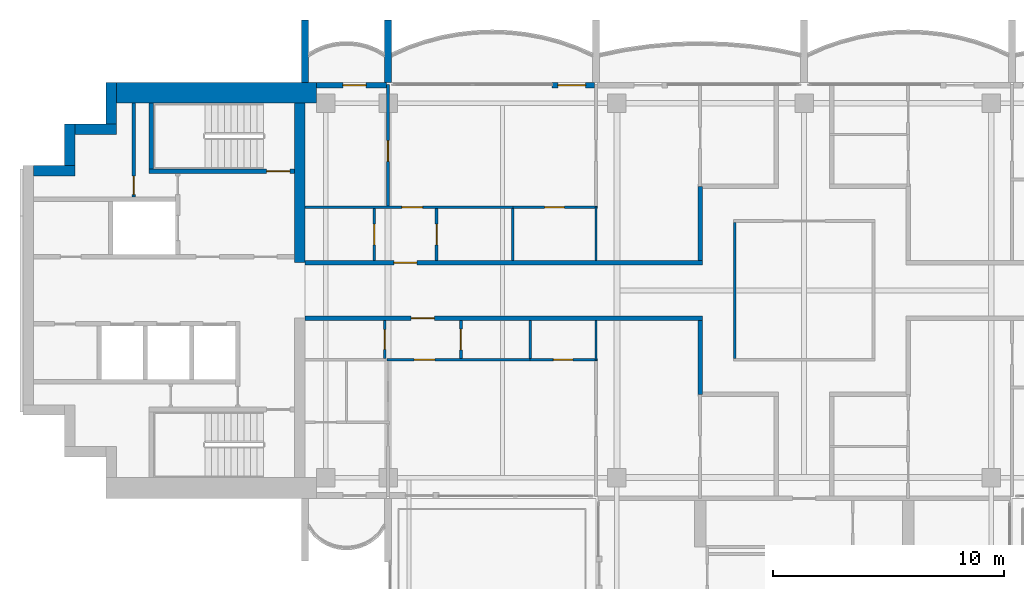
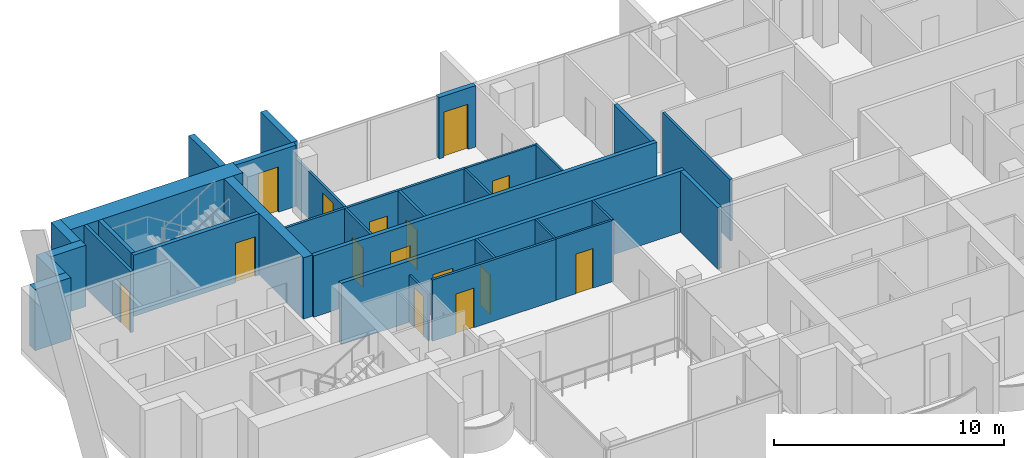
# One storey, part 8 of 16: 31 walls, 15 doors, 15 openings.
"""IFC4 building model written with IfcOpenShell, lengths in metres."""

import ifcopenshell
import ifcopenshell.guid

model = None  # the IFC model being written
_history = None  # IfcOwnerHistory: only IFC2X3 demands one
_inside = {}  # id of a spatial element -> (the spatial element, [elements in it])
_under = {}  # id of a project, library or spatial element -> (it, [spatial elements below it])
_declared = {}  # id of a project -> (the project, [libraries it declares])
_typed = {}  # id of a type object -> (the type object, [elements of that type])
_made_of = {}  # id of a material, layer set ... -> (it, [elements and type objects made of it])


def new_model(schema):
    """Start an empty IFC model of exactly this schema.

    Asked for "IFC4X3", IfcOpenShell would pick the latest addendum, in which some entities
    have other attributes; the version numbers below select the first issue.
    IFC2X3 requires an IfcOwnerHistory on every rooted entity: one is made here for all.
    """
    global model, _history
    if schema == "IFC4X3":
        model = ifcopenshell.file(schema_version=(4, 3, 0, 0))
    else:
        model = ifcopenshell.file(schema=schema)
    _inside.clear()
    _under.clear()
    _declared.clear()
    _typed.clear()
    _made_of.clear()
    _history = None
    if model.schema == "IFC2X3":
        org = make("IfcOrganization", Name="unknown")
        user = make(
            "IfcPersonAndOrganization",
            ThePerson=make("IfcPerson", FamilyName="unknown"),
            TheOrganization=org,
        )
        app = make(
            "IfcApplication",
            ApplicationDeveloper=org,
            Version="unknown",
            ApplicationFullName="unknown",
            ApplicationIdentifier="unknown",
        )
        _history = make(
            "IfcOwnerHistory",
            OwningUser=user,
            OwningApplication=app,
            ChangeAction="ADDED",
            CreationDate=0,
        )
    return model


def make(cls, **values):
    """One entity of the class cls with the attributes given. An attribute that is None is left unset."""
    return model.create_entity(
        cls, **{name: value for name, value in values.items() if value is not None}
    )


def rooted(cls, **values):
    """An entity with a GlobalId (a new one), such as an element, a storey or a relation."""
    return make(cls, GlobalId=ifcopenshell.guid.new(), OwnerHistory=_history, **values)


def si_unit(unit_type, name, prefix=None):
    """IfcSIUnit, for example si_unit("LENGTHUNIT", "METRE", prefix="MILLI")."""
    return make("IfcSIUnit", UnitType=unit_type, Prefix=prefix, Name=name)


def assignment(units):
    """IfcUnitAssignment: the units of a project."""
    return None if units is None else make("IfcUnitAssignment", Units=units)


def point(xyz):
    """IfcCartesianPoint."""
    return None if xyz is None else make("IfcCartesianPoint", Coordinates=xyz)


def direction(xyz):
    """IfcDirection."""
    return None if xyz is None else make("IfcDirection", DirectionRatios=xyz)


def frame(location, z_axis=None, x_axis=None):
    """IfcAxis2Placement3D, a coordinate frame: its origin and axes. An axis left out is left unset."""
    return make(
        "IfcAxis2Placement3D",
        Location=point(location),
        Axis=direction(z_axis),
        RefDirection=direction(x_axis),
    )


def frame_2d(location, x_axis=None):
    """IfcAxis2Placement2D, a coordinate frame in the plane: its origin and x axis."""
    return make(
        "IfcAxis2Placement2D", Location=point(location), RefDirection=direction(x_axis)
    )


def origin():
    """The frame at (0, 0, 0) with its axes left unset."""
    return frame((0.0, 0.0, 0.0))


def place(relative_to, where):
    """IfcLocalPlacement: puts the frame where relative to a parent placement (None: the world)."""
    return make(
        "IfcLocalPlacement", PlacementRelTo=relative_to, RelativePlacement=where
    )


def context(
    kind, dimensions, precision=None, world=None, true_north=None, identifier=None
):
    """IfcGeometricRepresentationContext, for example the 3D "Model" context."""
    return make(
        "IfcGeometricRepresentationContext",
        ContextIdentifier=identifier,
        ContextType=kind,
        CoordinateSpaceDimension=dimensions,
        Precision=precision,
        WorldCoordinateSystem=world,
        TrueNorth=true_north,
    )


def subcontext(parent, identifier, kind, view, scale=None):
    """IfcGeometricRepresentationSubContext, for example "Body" below "Model"."""
    return make(
        "IfcGeometricRepresentationSubContext",
        ContextIdentifier=identifier,
        ContextType=kind,
        ParentContext=parent,
        TargetScale=scale,
        TargetView=view,
    )


def project(units=None, contexts=None):
    """IfcProject with its units and contexts."""
    return rooted(
        "IfcProject",
        Name="project",
        RepresentationContexts=contexts,
        UnitsInContext=assignment(units),
    )


def spatial(cls, under=None, at=None, **own):
    """A site, building, storey or space (cls), placed at a placement, below another one or the project."""
    s = rooted(cls, ObjectPlacement=at, **own)
    if under is not None:
        _under.setdefault(under.id(), (under, []))[1].append(s)
    return s


def profile(cls, at=None, kind="AREA", **sizes):
    """A parametric profile (cls). Its sizes go by their IFC names, for example OverallWidth=200.0."""
    return make(cls, ProfileType=kind, Position=at, **sizes)


def rectangle(**sizes):
    """IfcRectangleProfileDef."""
    return profile("IfcRectangleProfileDef", **sizes)


def extrude(swept, where, along, depth):
    """IfcExtrudedAreaSolid: the profile swept, set in the frame where, extruded along a direction by depth."""
    return make(
        "IfcExtrudedAreaSolid",
        SweptArea=swept,
        Position=where,
        ExtrudedDirection=direction(along),
        Depth=depth,
    )


def shape(context_of_items, identifier, shape_type, items):
    """IfcShapeRepresentation: the items that make up one representation, for example the "Body"."""
    return make(
        "IfcShapeRepresentation",
        ContextOfItems=context_of_items,
        RepresentationIdentifier=identifier,
        RepresentationType=shape_type,
        Items=items,
    )


def material(Name=None, Category=None):
    """IfcMaterial."""
    return make("IfcMaterial", Name=Name, Category=Category)


def layer(
    of_material, thickness, ventilated=None, Name=None, Category=None, Priority=None
):
    """IfcMaterialLayer: one layer of a wall or slab, of a material (None: an air gap)."""
    return make(
        "IfcMaterialLayer",
        Material=of_material,
        LayerThickness=thickness,
        IsVentilated=ventilated,
        Name=Name,
        Category=Category,
        Priority=Priority,
    )


def layer_set(layers, Name=None):
    """IfcMaterialLayerSet."""
    return make("IfcMaterialLayerSet", MaterialLayers=layers, LayerSetName=Name)


def made_of(thing, what):
    """Note that an element or type object is made of a material, layer set ...; save() writes the relation."""
    if what is not None:
        _made_of.setdefault(what.id(), (what, []))[1].append(thing)
    return thing


def type_object(cls, material=None, **own):
    """A type object (cls), such as IfcWallType, which elements share."""
    return made_of(rooted(cls, **own), material)


def element(
    cls,
    number,
    at=None,
    inside=None,
    cuts=None,
    type_object=None,
    material=None,
    context=None,
    identifier="Body",
    shape_type=None,
    held_by="IfcProductDefinitionShape",
    body=None,
    shapes=None,
    **own,
):
    """One element of the class cls, such as IfcWall. Its Tag is "e" and its number.

    at: its placement. inside: the storey or other place that contains it. cuts: it is an
    opening in that element (IfcRelVoidsElement). A single representation is given by context,
    identifier, shape_type and body (its items); several are given by shapes. held_by: the class
    of the entity that holds the representations. save() writes the other relations.
    """
    e = rooted(cls, Tag="e%d" % number, ObjectPlacement=at, **own)
    if body is not None:
        shapes = [shape(context, identifier, shape_type, body)]
    if shapes is not None:
        e.Representation = make(held_by, Representations=shapes)
    if inside is not None:
        _inside.setdefault(inside.id(), (inside, []))[1].append(e)
    if cuts is not None:
        rooted(
            "IfcRelVoidsElement", RelatingBuildingElement=cuts, RelatedOpeningElement=e
        )
    if type_object is not None:
        _typed.setdefault(type_object.id(), (type_object, []))[1].append(e)
    return made_of(e, material)


def fill(opening, filler):
    """IfcRelFillsElement: the door or window that sits in an opening."""
    return rooted(
        "IfcRelFillsElement",
        RelatingOpeningElement=opening,
        RelatedBuildingElement=filler,
    )


def aggregate(whole, parts):
    """IfcRelAggregates: a whole, such as a stair, and the parts it consists of."""
    return rooted("IfcRelAggregates", RelatingObject=whole, RelatedObjects=parts)


def save(model, path):
    """Write the relations noted so far, then the file.

    IfcRelAggregates (storeys below a building ...), IfcRelContainedInSpatialStructure (elements
    in a storey), IfcRelDefinesByType, IfcRelAssociatesMaterial and IfcRelDeclares: one each for
    every whole, place, type object, material and project.
    """
    for whole, parts in _under.values():
        aggregate(whole, parts)
    for where, things in _inside.values():
        rooted(
            "IfcRelContainedInSpatialStructure",
            RelatedElements=things,
            RelatingStructure=where,
        )
    for kind, things in _typed.values():
        rooted("IfcRelDefinesByType", RelatedObjects=things, RelatingType=kind)
    for what, things in _made_of.values():
        rooted("IfcRelAssociatesMaterial", RelatedObjects=things, RelatingMaterial=what)
    for by, libraries in _declared.values():
        rooted("IfcRelDeclares", RelatingContext=by, RelatedDefinitions=libraries)
    model.write(path)


model = new_model("IFC4")

# Units and contexts
model_context = context("Model", 3, precision=1e-05, world=origin(), true_north=direction((0.0, 1.0)))
body_context = subcontext(model_context, "Body", "Model", "MODEL_VIEW")
ifc_project = project(units=[si_unit("LENGTHUNIT", "METRE"), si_unit("AREAUNIT", "SQUARE_METRE"), si_unit("VOLUMEUNIT", "CUBIC_METRE"), si_unit("PLANEANGLEUNIT", "RADIAN"), si_unit("MASSUNIT", "GRAM", prefix="KILO")], contexts=[model_context])

# Site, building, storey
site_placement = place(None, origin())
site = spatial("IfcSite", under=ifc_project, at=site_placement, CompositionType="ELEMENT")
building_placement = place(site_placement, origin())
building = spatial("IfcBuilding", under=site, at=building_placement, Name="Perihelion Cross Residences", CompositionType="ELEMENT")
storey_placement = place(building_placement, frame((0.0, 0.0, 264.0)))
storey = spatial("IfcBuildingStorey", under=building, at=storey_placement, Name="L67", CompositionType="ELEMENT", Elevation=264.0)

# Wall, opening, door
ifc_material_1 = material(Name="Plasterboard partition")
ifc_layer_1 = layer(ifc_material_1, 0.199951171875)
ifc_layer_set_1 = layer_set([ifc_layer_1], Name="Apartment separation wall 200")
wall_type_1 = type_object("IfcWallType", Name="Apartment separation wall 200", PredefinedType="PARTITIONING", material=ifc_layer_set_1)
wall_1_placement = place(storey_placement, frame((-21.60009765625, 1.199951171875, 0.0), z_axis=(0.0, 0.0, 1.0), x_axis=(1.0, 0.0, 0.0)))
wall_1 = element("IfcWall", 1, at=wall_1_placement, inside=storey, type_object=wall_type_1, Name="Partition L67 W013", PredefinedType="PARTITIONING", context=body_context, shape_type="SweptSolid", body=[
    extrude(rectangle(XDim=17.2001953125, YDim=0.199951171875, at=frame_2d((8.60009765625, 0.0))), origin(), (0.0, 0.0, 1.0), 3.25),
])
opening_1_placement = place(wall_1_placement, frame((3.85009765625, 0.0, 0.0)))
opening_1 = element("IfcOpeningElement", 2, at=opening_1_placement, cuts=wall_1, Name="Opening L67.A42", PredefinedType="OPENING", context=body_context, shape_type="SweptSolid", body=[
    extrude(rectangle(XDim=1.0, YDim=2.10009765625, at=frame_2d((0.5, 1.050048828125))), frame((0.0, 0.10986328125, 0.0), z_axis=(0.0, -1.0, 0.0), x_axis=(1.0, 0.0, 0.0)), (0.0, 0.0, 1.0), 0.219970703125),
])
ifc_material_2 = material(Name="Timber door leaf", Category="wood")
door_type_1 = type_object("IfcDoorType", Name="Flat entrance door 1000 x 2100", OperationType="SINGLE_SWING_LEFT", PredefinedType="DOOR", material=ifc_material_2)
door_1_placement = place(opening_1_placement, origin())
door_1 = element("IfcDoor", 3, at=door_1_placement, inside=storey, type_object=door_type_1, Name="Door L67.A42", OperationType="SINGLE_SWING_RIGHT", OverallHeight=2.10009765625, OverallWidth=1.0, PredefinedType="DOOR", context=body_context, shape_type="SweptSolid", body=[
    extrude(rectangle(XDim=1.0, YDim=2.10009765625, at=frame_2d((0.5, 1.050048828125))), frame((0.0, 0.02490234375, 0.0), z_axis=(0.0, -1.0, 0.0), x_axis=(1.0, 0.0, 0.0)), (0.0, 0.0, 1.0), 0.050048828125),
])
fill(opening_1, door_1)

# Wall
wall_2_placement = place(storey_placement, frame((-4.5, 1.300048828125, 0.0), z_axis=(0.0, 0.0, 1.0), x_axis=(0.0, 1.0, 0.0)))
element("IfcWall", 4, at=wall_2_placement, inside=storey, type_object=wall_type_1, Name="Partition L67 W014", PredefinedType="PARTITIONING", context=body_context, shape_type="SweptSolid", body=[
    extrude(rectangle(XDim=3.199951171875, YDim=0.199951171875, at=frame_2d((1.60009765625, 0.0))), origin(), (0.0, 0.0, 1.0), 3.25),
])

# Wall, opening, door
wall_3_placement = place(storey_placement, frame((-4.39990234375, -1.199951171875, 0.0), z_axis=(0.0, 0.0, 1.0), x_axis=(-1.0, 0.0, 0.0)))
wall_3 = element("IfcWall", 5, at=wall_3_placement, inside=storey, type_object=wall_type_1, Name="Partition L67 W017", PredefinedType="PARTITIONING", context=body_context, shape_type="SweptSolid", body=[
    extrude(rectangle(XDim=17.2001953125, YDim=0.199951171875, at=frame_2d((8.60009765625, 0.0))), origin(), (0.0, 0.0, 1.0), 3.25),
])
opening_2_placement = place(wall_3_placement, frame((11.60009765625, 0.0, 0.0)))
opening_2 = element("IfcOpeningElement", 6, at=opening_2_placement, cuts=wall_3, Name="Opening L67.A43", PredefinedType="OPENING", context=body_context, shape_type="SweptSolid", body=[
    extrude(rectangle(XDim=1.0, YDim=2.10009765625, at=frame_2d((0.5, 1.050048828125))), frame((0.0, 0.10986328125, 0.0), z_axis=(0.0, -1.0, 0.0), x_axis=(1.0, 0.0, 0.0)), (0.0, 0.0, 1.0), 0.219970703125),
])
door_2_placement = place(opening_2_placement, origin())
door_2 = element("IfcDoor", 7, at=door_2_placement, inside=storey, type_object=door_type_1, Name="Door L67.A43", OperationType="SINGLE_SWING_RIGHT", OverallHeight=2.10009765625, OverallWidth=1.0, PredefinedType="DOOR", context=body_context, shape_type="SweptSolid", body=[
    extrude(rectangle(XDim=1.0, YDim=2.10009765625, at=frame_2d((0.5, 1.050048828125))), frame((0.0, 0.02490234375, 0.0), z_axis=(0.0, -1.0, 0.0), x_axis=(1.0, 0.0, 0.0)), (0.0, 0.0, 1.0), 0.050048828125),
])
fill(opening_2, door_2)

# Wall
wall_4_placement = place(storey_placement, frame((-4.5, -4.5, 0.0), z_axis=(0.0, 0.0, 1.0), x_axis=(0.0, 1.0, 0.0)))
element("IfcWall", 8, at=wall_4_placement, inside=storey, type_object=wall_type_1, Name="Partition L67 W018", PredefinedType="PARTITIONING", context=body_context, shape_type="SweptSolid", body=[
    extrude(rectangle(XDim=3.199951171875, YDim=0.199951171875, at=frame_2d((1.60009765625, 0.0))), origin(), (0.0, 0.0, 1.0), 3.25),
])

# Wall, opening, door
ifc_material_3 = material(Name="Concrete C30/37, bronze-clad", Category="concrete")
ifc_layer_2 = layer(ifc_material_3, 0.25)
ifc_layer_set_2 = layer_set([ifc_layer_2], Name="Bronze-clad pier wall 250")
wall_type_2 = type_object("IfcWallType", Name="Bronze-clad pier wall 250", PredefinedType="SOLIDWALL", material=ifc_layer_set_2)
wall_5_placement = place(storey_placement, frame((-9.06005859375, 8.875, 0.0), z_axis=(0.0, 0.0, 1.0), x_axis=(-1.0, 0.0, 0.0)))
wall_5 = element("IfcWall", 9, at=wall_5_placement, inside=storey, type_object=wall_type_2, Name="Wall FW1 L67 west side north bay 1 pier", PredefinedType="SOLIDWALL", context=body_context, shape_type="SweptSolid", body=[
    extrude(rectangle(XDim=1.83984375, YDim=0.25, at=frame_2d((0.919921875, 0.0))), origin(), (0.0, 0.0, 1.0), 3.25),
])
opening_3_placement = place(wall_5_placement, frame((0.389892578125, 0.0, 0.0)))
opening_3 = element("IfcOpeningElement", 10, at=opening_3_placement, cuts=wall_5, Name="Opening L67.E05", PredefinedType="OPENING", context=body_context, shape_type="SweptSolid", body=[
    extrude(rectangle(XDim=1.199951171875, YDim=2.39990234375, at=frame_2d((0.60009765625, 1.199951171875))), frame((0.0, 0.135009765625, 0.0), z_axis=(0.0, -1.0, 0.0), x_axis=(1.0, 0.0, 0.0)), (0.0, 0.0, 1.0), 0.27001953125),
])
ifc_material_4 = material(Name="Bronze anodised aluminium, glazed", Category="aluminium")
door_type_2 = type_object("IfcDoorType", Name="Balcony door 1200 x 2400", OperationType="NOTDEFINED", PredefinedType="DOOR", material=ifc_material_4)
door_3_placement = place(opening_3_placement, origin())
door_3 = element("IfcDoor", 11, at=door_3_placement, inside=storey, type_object=door_type_2, Name="Door L67.E05 west side north bay 1", OperationType="SINGLE_SWING_LEFT", OverallHeight=2.39990234375, OverallWidth=1.199951171875, PredefinedType="DOOR", context=body_context, shape_type="SweptSolid", body=[
    extrude(rectangle(XDim=1.199951171875, YDim=2.39990234375, at=frame_2d((0.60009765625, 1.199951171875))), frame((0.0, 0.02490234375, 0.0), z_axis=(0.0, -1.0, 0.0), x_axis=(1.0, 0.0, 0.0)), (0.0, 0.0, 1.0), 0.050048828125),
])
fill(opening_3, door_3)

wall_6_placement = place(storey_placement, frame((-18.06005859375, 8.875, 0.0), z_axis=(0.0, 0.0, 1.0), x_axis=(-1.0, 0.0, 0.0)))
wall_6 = element("IfcWall", 12, at=wall_6_placement, inside=storey, type_object=wall_type_2, Name="Wall FW1 L67 west side north bay 2 pier", PredefinedType="SOLIDWALL", context=body_context, shape_type="SweptSolid", body=[
    extrude(rectangle(XDim=3.0400390625, YDim=0.25, at=frame_2d((1.52001953125, 0.0))), origin(), (0.0, 0.0, 1.0), 3.25),
])
opening_4_placement = place(wall_6_placement, frame((0.889892578125, 0.0, 0.0)))
opening_4 = element("IfcOpeningElement", 13, at=opening_4_placement, cuts=wall_6, Name="Opening L67.E06", PredefinedType="OPENING", context=body_context, shape_type="SweptSolid", body=[
    extrude(rectangle(XDim=1.0, YDim=2.39990234375, at=frame_2d((0.5, 1.199951171875))), frame((0.0, 0.135009765625, 0.0), z_axis=(0.0, -1.0, 0.0), x_axis=(1.0, 0.0, 0.0)), (0.0, 0.0, 1.0), 0.27001953125),
])
ifc_material_5 = material(Name="Bronze anodised aluminium, glazed", Category="aluminium")
door_type_3 = type_object("IfcDoorType", Name="Balcony door 1000 x 2400", OperationType="NOTDEFINED", PredefinedType="DOOR", material=ifc_material_5)
door_4_placement = place(opening_4_placement, origin())
door_4 = element("IfcDoor", 14, at=door_4_placement, inside=storey, type_object=door_type_3, Name="Door L67.E06 west side north bay 2", OperationType="SINGLE_SWING_RIGHT", OverallHeight=2.39990234375, OverallWidth=1.0, PredefinedType="DOOR", context=body_context, shape_type="SweptSolid", body=[
    extrude(rectangle(XDim=1.0, YDim=2.39990234375, at=frame_2d((0.5, 1.199951171875))), frame((0.0, 0.02490234375, 0.0), z_axis=(0.0, -1.0, 0.0), x_axis=(1.0, 0.0, 0.0)), (0.0, 0.0, 1.0), 0.050048828125),
])
fill(opening_4, door_4)

# Walls
ifc_material_6 = material(Name="Concrete C60/75", Category="concrete")
ifc_layer_3 = layer(ifc_material_6, 0.449951171875)
ifc_layer_set_3 = layer_set([ifc_layer_3], Name="Core wall, inner 450")
wall_type_3 = type_object("IfcWallType", Name="Core wall, inner 450", PredefinedType="SHEAR", material=ifc_layer_set_3)
wall_7_placement = place(storey_placement, frame((-21.824951171875, 1.199951171875, 0.0), z_axis=(0.0, 0.0, 1.0), x_axis=(0.0, 1.0, 0.0)))
element("IfcWall", 15, at=wall_7_placement, inside=storey, type_object=wall_type_3, Name="West core core wall, inner", PredefinedType="SHEAR", context=body_context, shape_type="SweptSolid", body=[
    extrude(rectangle(XDim=6.900146484375, YDim=0.449951171875, at=frame_2d((3.4501953125, 0.0))), origin(), (0.0, 0.0, 1.0), 3.25),
])
ifc_material_7 = material(Name="Concrete C60/75", Category="concrete")
ifc_layer_4 = layer(ifc_material_7, 0.449951171875)
ifc_layer_set_4 = layer_set([ifc_layer_4], Name="Core wall, outer 450")
wall_type_4 = type_object("IfcWallType", Name="Core wall, outer 450", PredefinedType="SHEAR", material=ifc_layer_set_4)
for number, where, z_axis, x_axis, name in (
    (16, (-33.35009765625, 5.175048828125, 0.0), (0.0, 0.0, 1.0), (1.0, 0.0, 0.0), "West core core wall, outer"),
    (17, (-31.77490234375, 5.39990234375, 0.0), (0.0, 0.0, 1.0), (0.0, 1.0, 0.0), "West core core wall, outer"),
    (18, (-31.550048828125, 6.97509765625, 0.0), (0.0, 0.0, 1.0), (1.0, 0.0, 0.0), "West core core wall, outer"),
    (19, (-29.97509765625, 7.199951171875, 0.0), (0.0, 0.0, 1.0), (0.0, 1.0, 0.0), "West core core wall, outer"),
):
    element("IfcWall", number, at=place(storey_placement, frame(where, z_axis=z_axis, x_axis=x_axis)), inside=storey, type_object=wall_type_4, Name=name, PredefinedType="SHEAR", context=body_context, shape_type="SweptSolid", body=[
        extrude(rectangle(XDim=1.800048828125, YDim=0.449951171875, at=frame_2d((0.89990234375, 0.0))), origin(), (0.0, 0.0, 1.0), 3.25),
    ])
ifc_material_8 = material(Name="Concrete C60/75", Category="concrete")
ifc_layer_5 = layer(ifc_material_8, 0.89990234375)
ifc_layer_set_5 = layer_set([ifc_layer_5], Name="Core wall, outer 900")
wall_type_5 = type_object("IfcWallType", Name="Core wall, outer 900", PredefinedType="SHEAR", material=ifc_layer_set_5)
wall_8_placement = place(storey_placement, frame((-29.75, 8.550048828125, 0.0), z_axis=(0.0, 0.0, 1.0), x_axis=(1.0, 0.0, 0.0)))
element("IfcWall", 20, at=wall_8_placement, inside=storey, type_object=wall_type_5, Name="West core core wall, outer", PredefinedType="SHEAR", context=body_context, shape_type="SweptSolid", body=[
    extrude(rectangle(XDim=8.64990234375, YDim=0.89990234375, at=frame_2d((4.324951171875, 0.0))), origin(), (0.0, 0.0, 1.0), 3.25),
])
ifc_material_9 = material(Name="Plasterboard partition")
ifc_layer_6 = layer(ifc_material_9, 0.1201171875)
ifc_layer_set_6 = layer_set([ifc_layer_6], Name="Partition wall 120")
wall_type_6 = type_object("IfcWallType", Name="Partition wall 120", PredefinedType="PARTITIONING", material=ifc_layer_set_6)
wall_9_placement = place(storey_placement, frame((-3.0, 2.93994140625, 0.0), z_axis=(0.0, 0.0, 1.0), x_axis=(0.0, -1.0, 0.0)))
element("IfcWall", 21, at=wall_9_placement, inside=storey, type_object=wall_type_6, Name="Partition L67 W004", PredefinedType="PARTITIONING", context=body_context, shape_type="SweptSolid", body=[
    extrude(rectangle(XDim=5.8798828125, YDim=0.1201171875, at=frame_2d((2.93994140625, 0.0))), origin(), (0.0, 0.0, 1.0), 3.25),
])

# Wall, opening, door
wall_10_placement = place(storey_placement, frame((-15.89990234375, 1.300048828125, 0.0), z_axis=(0.0, 0.0, 1.0), x_axis=(0.0, 1.0, 0.0)))
wall_10 = element("IfcWall", 22, at=wall_10_placement, inside=storey, type_object=wall_type_6, Name="Partition L67 W047", PredefinedType="PARTITIONING", context=body_context, shape_type="SweptSolid", body=[
    extrude(rectangle(XDim=2.239990234375, YDim=0.1201171875, at=frame_2d((1.1201171875, 0.0))), origin(), (0.0, 0.0, 1.0), 3.25),
])
opening_5_placement = place(wall_10_placement, frame((0.669921875, 0.0, 0.0)))
opening_5 = element("IfcOpeningElement", 23, at=opening_5_placement, cuts=wall_10, Name="Opening L67.A20", PredefinedType="OPENING", context=body_context, shape_type="SweptSolid", body=[
    extrude(rectangle(XDim=0.89990234375, YDim=2.10009765625, at=frame_2d((0.449951171875, 1.050048828125))), frame((0.0, 0.070068359375, 0.0), z_axis=(0.0, -1.0, 0.0), x_axis=(1.0, 0.0, 0.0)), (0.0, 0.0, 1.0), 0.14013671875),
])
ifc_material_10 = material(Name="Timber door leaf", Category="wood")
door_type_4 = type_object("IfcDoorType", Name="Interior room door 900 x 2100", OperationType="SINGLE_SWING_LEFT", PredefinedType="DOOR", material=ifc_material_10)
door_5_placement = place(opening_5_placement, origin())
door_5 = element("IfcDoor", 24, at=door_5_placement, inside=storey, type_object=door_type_4, Name="Door L67.A20", OperationType="SINGLE_SWING_LEFT", OverallHeight=2.10009765625, OverallWidth=0.89990234375, PredefinedType="DOOR", context=body_context, shape_type="SweptSolid", body=[
    extrude(rectangle(XDim=0.89990234375, YDim=2.10009765625, at=frame_2d((0.449951171875, 1.050048828125))), frame((0.0, 0.02490234375, 0.0), z_axis=(0.0, -1.0, 0.0), x_axis=(1.0, 0.0, 0.0)), (0.0, 0.0, 1.0), 0.050048828125),
])
fill(opening_5, door_5)

wall_11_placement = place(storey_placement, frame((-21.60009765625, 3.60009765625, 0.0), z_axis=(0.0, 0.0, 1.0), x_axis=(1.0, 0.0, 0.0)))
wall_11 = element("IfcWall", 25, at=wall_11_placement, inside=storey, type_object=wall_type_6, Name="Partition L67 W048", PredefinedType="PARTITIONING", context=body_context, shape_type="SweptSolid", body=[
    extrude(rectangle(XDim=9.0, YDim=0.1201171875, at=frame_2d((4.5, 0.0))), origin(), (0.0, 0.0, 1.0), 3.25),
])
opening_6_placement = place(wall_11_placement, frame((4.199951171875, 0.0, 0.0)))
opening_6 = element("IfcOpeningElement", 26, at=opening_6_placement, cuts=wall_11, Name="Opening L67.A21", PredefinedType="OPENING", context=body_context, shape_type="SweptSolid", body=[
    extrude(rectangle(XDim=0.89990234375, YDim=2.10009765625, at=frame_2d((0.449951171875, 1.050048828125))), frame((0.0, 0.070068359375, 0.0), z_axis=(0.0, -1.0, 0.0), x_axis=(1.0, 0.0, 0.0)), (0.0, 0.0, 1.0), 0.14013671875),
])
door_6_placement = place(opening_6_placement, origin())
door_6 = element("IfcDoor", 27, at=door_6_placement, inside=storey, type_object=door_type_4, Name="Door L67.A21", OperationType="SINGLE_SWING_LEFT", OverallHeight=2.10009765625, OverallWidth=0.89990234375, PredefinedType="DOOR", context=body_context, shape_type="SweptSolid", body=[
    extrude(rectangle(XDim=0.89990234375, YDim=2.10009765625, at=frame_2d((0.449951171875, 1.050048828125))), frame((0.0, 0.02490234375, 0.0), z_axis=(0.0, -1.0, 0.0), x_axis=(1.0, 0.0, 0.0)), (0.0, 0.0, 1.0), 0.050048828125),
])
fill(opening_6, door_6)

wall_12_placement = place(storey_placement, frame((-18.60009765625, 1.300048828125, 0.0), z_axis=(0.0, 0.0, 1.0), x_axis=(0.0, 1.0, 0.0)))
wall_12 = element("IfcWall", 28, at=wall_12_placement, inside=storey, type_object=wall_type_6, Name="Partition L67 W049", PredefinedType="PARTITIONING", context=body_context, shape_type="SweptSolid", body=[
    extrude(rectangle(XDim=2.239990234375, YDim=0.1201171875, at=frame_2d((1.1201171875, 0.0))), origin(), (0.0, 0.0, 1.0), 3.25),
])
opening_7_placement = place(wall_12_placement, frame((0.669921875, 0.0, 0.0)))
opening_7 = element("IfcOpeningElement", 29, at=opening_7_placement, cuts=wall_12, Name="Opening L67.A19", PredefinedType="OPENING", context=body_context, shape_type="SweptSolid", body=[
    extrude(rectangle(XDim=0.89990234375, YDim=2.10009765625, at=frame_2d((0.449951171875, 1.050048828125))), frame((0.0, 0.070068359375, 0.0), z_axis=(0.0, -1.0, 0.0), x_axis=(1.0, 0.0, 0.0)), (0.0, 0.0, 1.0), 0.14013671875),
])
door_7_placement = place(opening_7_placement, origin())
door_7 = element("IfcDoor", 30, at=door_7_placement, inside=storey, type_object=door_type_4, Name="Door L67.A19", OperationType="SINGLE_SWING_LEFT", OverallHeight=2.10009765625, OverallWidth=0.89990234375, PredefinedType="DOOR", context=body_context, shape_type="SweptSolid", body=[
    extrude(rectangle(XDim=0.89990234375, YDim=2.10009765625, at=frame_2d((0.449951171875, 1.050048828125))), frame((0.0, 0.02490234375, 0.0), z_axis=(0.0, -1.0, 0.0), x_axis=(1.0, 0.0, 0.0)), (0.0, 0.0, 1.0), 0.050048828125),
])
fill(opening_7, door_7)

wall_13_placement = place(storey_placement, frame((-18.0, 3.659912109375, 0.0), z_axis=(0.0, 0.0, 1.0), x_axis=(0.0, 1.0, 0.0)))
wall_13 = element("IfcWall", 31, at=wall_13_placement, inside=storey, type_object=wall_type_6, Name="Partition L67 W050", PredefinedType="PARTITIONING", context=body_context, shape_type="SweptSolid", body=[
    extrude(rectangle(XDim=5.260009765625, YDim=0.1201171875, at=frame_2d((2.6298828125, 0.0))), origin(), (0.0, 0.0, 1.0), 2.49609375),
])
opening_8_placement = place(wall_13_placement, frame((1.919921875, 0.0, 0.0)))
opening_8 = element("IfcOpeningElement", 32, at=opening_8_placement, cuts=wall_13, Name="Opening L67.A22", PredefinedType="OPENING", context=body_context, shape_type="SweptSolid", body=[
    extrude(rectangle(XDim=0.89990234375, YDim=2.10009765625, at=frame_2d((0.449951171875, 1.050048828125))), frame((0.0, 0.070068359375, 0.0), z_axis=(0.0, -1.0, 0.0), x_axis=(1.0, 0.0, 0.0)), (0.0, 0.0, 1.0), 0.14013671875),
])
door_8_placement = place(opening_8_placement, origin())
door_8 = element("IfcDoor", 33, at=door_8_placement, inside=storey, type_object=door_type_4, Name="Door L67.A22", OperationType="SINGLE_SWING_RIGHT", OverallHeight=2.10009765625, OverallWidth=0.89990234375, PredefinedType="DOOR", context=body_context, shape_type="SweptSolid", body=[
    extrude(rectangle(XDim=0.89990234375, YDim=2.10009765625, at=frame_2d((0.449951171875, 1.050048828125))), frame((0.0, 0.02490234375, 0.0), z_axis=(0.0, -1.0, 0.0), x_axis=(1.0, 0.0, 0.0)), (0.0, 0.0, 1.0), 0.050048828125),
])
fill(opening_8, door_8)

wall_14_placement = place(storey_placement, frame((-14.85009765625, -2.93994140625, 0.0), z_axis=(0.0, 0.0, 1.0), x_axis=(0.0, 1.0, 0.0)))
wall_14 = element("IfcWall", 34, at=wall_14_placement, inside=storey, type_object=wall_type_6, Name="Partition L67 W056", PredefinedType="PARTITIONING", context=body_context, shape_type="SweptSolid", body=[
    extrude(rectangle(XDim=1.639892578125, YDim=0.1201171875, at=frame_2d((0.81982421875, 0.0))), origin(), (0.0, 0.0, 1.0), 3.25),
])
opening_9_placement = place(wall_14_placement, frame((0.3701171875, 0.0, 0.0)))
opening_9 = element("IfcOpeningElement", 35, at=opening_9_placement, cuts=wall_14, Name="Opening L67.A30", PredefinedType="OPENING", context=body_context, shape_type="SweptSolid", body=[
    extrude(rectangle(XDim=0.89990234375, YDim=2.10009765625, at=frame_2d((0.449951171875, 1.050048828125))), frame((0.0, 0.070068359375, 0.0), z_axis=(0.0, -1.0, 0.0), x_axis=(1.0, 0.0, 0.0)), (0.0, 0.0, 1.0), 0.14013671875),
])
door_9_placement = place(opening_9_placement, origin())
door_9 = element("IfcDoor", 36, at=door_9_placement, inside=storey, type_object=door_type_4, Name="Door L67.A30", OperationType="SINGLE_SWING_LEFT", OverallHeight=2.10009765625, OverallWidth=0.89990234375, PredefinedType="DOOR", context=body_context, shape_type="SweptSolid", body=[
    extrude(rectangle(XDim=0.89990234375, YDim=2.10009765625, at=frame_2d((0.449951171875, 1.050048828125))), frame((0.0, 0.02490234375, 0.0), z_axis=(0.0, -1.0, 0.0), x_axis=(1.0, 0.0, 0.0)), (0.0, 0.0, 1.0), 0.050048828125),
])
fill(opening_9, door_9)

wall_15_placement = place(storey_placement, frame((-11.85009765625, -3.0, 0.0), z_axis=(0.0, 0.0, 1.0), x_axis=(-1.0, 0.0, 0.0)))
wall_15 = element("IfcWall", 37, at=wall_15_placement, inside=storey, type_object=wall_type_6, Name="Partition L67 W057", PredefinedType="PARTITIONING", context=body_context, shape_type="SweptSolid", body=[
    extrude(rectangle(XDim=6.199951171875, YDim=0.1201171875, at=frame_2d((3.10009765625, 0.0))), origin(), (0.0, 0.0, 1.0), 3.25),
])
opening_10_placement = place(wall_15_placement, frame((4.125, 0.0, 0.0)))
opening_10 = element("IfcOpeningElement", 38, at=opening_10_placement, cuts=wall_15, Name="Opening L67.A31", PredefinedType="OPENING", context=body_context, shape_type="SweptSolid", body=[
    extrude(rectangle(XDim=0.89990234375, YDim=2.10009765625, at=frame_2d((0.449951171875, 1.050048828125))), frame((0.0, 0.070068359375, 0.0), z_axis=(0.0, -1.0, 0.0), x_axis=(1.0, 0.0, 0.0)), (0.0, 0.0, 1.0), 0.14013671875),
])
door_10_placement = place(opening_10_placement, origin())
door_10 = element("IfcDoor", 39, at=door_10_placement, inside=storey, type_object=door_type_4, Name="Door L67.A31", OperationType="SINGLE_SWING_RIGHT", OverallHeight=2.10009765625, OverallWidth=0.89990234375, PredefinedType="DOOR", context=body_context, shape_type="SweptSolid", body=[
    extrude(rectangle(XDim=0.89990234375, YDim=2.10009765625, at=frame_2d((0.449951171875, 1.050048828125))), frame((0.0, 0.02490234375, 0.0), z_axis=(0.0, -1.0, 0.0), x_axis=(1.0, 0.0, 0.0)), (0.0, 0.0, 1.0), 0.050048828125),
])
fill(opening_10, door_10)

# Walls
ifc_material_11 = material(Name="Precast concrete C50/60", Category="concrete")
ifc_layer_7 = layer(ifc_material_11, 0.300048828125)
ifc_layer_set_7 = layer_set([ifc_layer_7], Name="Precast concrete C50/60 blade wall 300")
wall_type_7 = type_object("IfcWallType", Name="Precast concrete C50/60 blade wall 300", PredefinedType="SOLIDWALL", material=ifc_layer_set_7)
for number, where, z_axis, x_axis, name in (
    (40, (-21.60009765625, 9.0, 0.0), (0.0, 0.0, 1.0), (0.0, 1.0, 0.0), "Wall BL1 L67 no. 4"),
    (41, (-18.0, 9.0, 0.0), (0.0, 0.0, 1.0), (0.0, 1.0, 0.0), "Wall BL1 L67 no. 2"),
):
    element("IfcWall", number, at=place(storey_placement, frame(where, z_axis=z_axis, x_axis=x_axis)), inside=storey, type_object=wall_type_7, Name=name, PredefinedType="SOLIDWALL", context=body_context, shape_type="SweptSolid", body=[
        extrude(rectangle(XDim=2.699951171875, YDim=0.300048828125, at=frame_2d((1.35009765625, 0.0))), origin(), (0.0, 0.0, 1.0), 3.25),
    ])

# Wall, opening, door
ifc_material_12 = material(Name="Fire-rated board on steel stud", Category="steel")
ifc_layer_8 = layer(ifc_material_12, 0.14990234375)
ifc_layer_set_8 = layer_set([ifc_layer_8], Name="Riser wall 150")
wall_type_8 = type_object("IfcWallType", Name="Riser wall 150", PredefinedType="PARTITIONING", material=ifc_layer_set_8)
wall_16_placement = place(storey_placement, frame((-29.0, 4.050048828125, 0.0), z_axis=(0.0, 0.0, 1.0), x_axis=(0.0, 1.0, 0.0)))
wall_16 = element("IfcWall", 42, at=wall_16_placement, inside=storey, type_object=wall_type_8, Name="West core riser wall", PredefinedType="PARTITIONING", context=body_context, shape_type="SweptSolid", body=[
    extrude(rectangle(XDim=4.050048828125, YDim=0.14990234375, at=frame_2d((2.02490234375, 0.0))), origin(), (0.0, 0.0, 1.0), 3.25),
])
opening_11_placement = place(wall_16_placement, frame((0.10009765625, 0.0, 0.0)))
opening_11 = element("IfcOpeningElement", 43, at=opening_11_placement, cuts=wall_16, Name="Opening L67.C26", PredefinedType="OPENING", context=body_context, shape_type="SweptSolid", body=[
    extrude(rectangle(XDim=0.800048828125, YDim=2.10009765625, at=frame_2d((0.39990234375, 1.050048828125))), frame((0.0, 0.0849609375, 0.0), z_axis=(0.0, -1.0, 0.0), x_axis=(1.0, 0.0, 0.0)), (0.0, 0.0, 1.0), 0.169921875),
])
ifc_material_13 = material(Name="Steel, powder coated", Category="steel")
door_type_5 = type_object("IfcDoorType", Name="Riser door 800", OperationType="SINGLE_SWING_LEFT", PredefinedType="DOOR", material=ifc_material_13)
door_11_placement = place(opening_11_placement, origin())
door_11 = element("IfcDoor", 44, at=door_11_placement, inside=storey, type_object=door_type_5, Name="West core riser door", OperationType="SINGLE_SWING_LEFT", OverallHeight=2.10009765625, OverallWidth=0.800048828125, PredefinedType="DOOR", context=body_context, shape_type="SweptSolid", body=[
    extrude(rectangle(XDim=0.800048828125, YDim=2.10009765625, at=frame_2d((0.39990234375, 1.050048828125))), frame((0.0, 0.02490234375, 0.0), z_axis=(0.0, -1.0, 0.0), x_axis=(1.0, 0.0, 0.0)), (0.0, 0.0, 1.0), 0.050048828125),
])
fill(opening_11, door_11)

ifc_material_14 = material(Name="Concrete C50/60", Category="concrete")
ifc_layer_9 = layer(ifc_material_14, 0.199951171875)
ifc_layer_set_9 = layer_set([ifc_layer_9], Name="Stair wall 200")
wall_type_9 = type_object("IfcWallType", Name="Stair wall 200", PredefinedType="SOLIDWALL", material=ifc_layer_set_9)
wall_17_placement = place(storey_placement, frame((-28.35009765625, 5.14990234375, 0.0), z_axis=(0.0, 0.0, 1.0), x_axis=(1.0, 0.0, 0.0)))
wall_17 = element("IfcWall", 45, at=wall_17_placement, inside=storey, type_object=wall_type_9, Name="West core stair wall", PredefinedType="SOLIDWALL", context=body_context, shape_type="SweptSolid", body=[
    extrude(rectangle(XDim=6.300048828125, YDim=0.199951171875, at=frame_2d((3.14990234375, 0.0))), origin(), (0.0, 0.0, 1.0), 3.25),
])
opening_12_placement = place(wall_17_placement, frame((5.10009765625, 0.0, 0.0)))
opening_12 = element("IfcOpeningElement", 46, at=opening_12_placement, cuts=wall_17, Name="Opening L67.C20", PredefinedType="OPENING", context=body_context, shape_type="SweptSolid", body=[
    extrude(rectangle(XDim=1.0, YDim=2.10009765625, at=frame_2d((0.5, 1.050048828125))), frame((0.0, 0.10986328125, 0.0), z_axis=(0.0, -1.0, 0.0), x_axis=(1.0, 0.0, 0.0)), (0.0, 0.0, 1.0), 0.219970703125),
])
ifc_material_15 = material(Name="Steel, powder coated", Category="steel")
door_type_6 = type_object("IfcDoorType", Name="Stair door 1000", OperationType="SINGLE_SWING_LEFT", PredefinedType="DOOR", material=ifc_material_15)
door_12_placement = place(opening_12_placement, origin())
door_12 = element("IfcDoor", 47, at=door_12_placement, inside=storey, type_object=door_type_6, Name="West core stair door", OperationType="SINGLE_SWING_LEFT", OverallHeight=2.10009765625, OverallWidth=1.0, PredefinedType="DOOR", context=body_context, shape_type="SweptSolid", body=[
    extrude(rectangle(XDim=1.0, YDim=2.10009765625, at=frame_2d((0.5, 1.050048828125))), frame((0.0, 0.02490234375, 0.0), z_axis=(0.0, -1.0, 0.0), x_axis=(1.0, 0.0, 0.0)), (0.0, 0.0, 1.0), 0.050048828125),
])
fill(opening_12, door_12)

# Walls
wall_18_placement = place(storey_placement, frame((-28.25, 5.25, 0.0), z_axis=(0.0, 0.0, 1.0), x_axis=(0.0, 1.0, 0.0)))
element("IfcWall", 48, at=wall_18_placement, inside=storey, type_object=wall_type_9, Name="West core stair wall", PredefinedType="SOLIDWALL", context=body_context, shape_type="SweptSolid", body=[
    extrude(rectangle(XDim=2.85009765625, YDim=0.199951171875, at=frame_2d((1.425048828125, 0.0))), origin(), (0.0, 0.0, 1.0), 3.25),
])
ifc_material_16 = material(Name="Plasterboard partition")
ifc_layer_10 = layer(ifc_material_16, 0.10009765625)
ifc_layer_set_10 = layer_set([ifc_layer_10], Name="Wet room wall 100")
wall_type_10 = type_object("IfcWallType", Name="Wet room wall 100", PredefinedType="PARTITIONING", material=ifc_layer_set_10)
wall_19_placement = place(storey_placement, frame((-12.60009765625, 1.300048828125, 0.0), z_axis=(0.0, 0.0, 1.0), x_axis=(0.0, 1.0, 0.0)))
element("IfcWall", 49, at=wall_19_placement, inside=storey, type_object=wall_type_10, Name="Partition L67 W044", PredefinedType="PARTITIONING", context=body_context, shape_type="SweptSolid", body=[
    extrude(rectangle(XDim=2.239990234375, YDim=0.10009765625, at=frame_2d((1.1201171875, 0.0))), origin(), (0.0, 0.0, 1.0), 3.25),
])

# Wall, opening, door
wall_20_placement = place(storey_placement, frame((-12.60009765625, 3.60009765625, 0.0), z_axis=(0.0, 0.0, 1.0), x_axis=(1.0, 0.0, 0.0)))
wall_20 = element("IfcWall", 50, at=wall_20_placement, inside=storey, type_object=wall_type_10, Name="Partition L67 W045", PredefinedType="PARTITIONING", context=body_context, shape_type="SweptSolid", body=[
    extrude(rectangle(XDim=3.66015625, YDim=0.10009765625, at=frame_2d((1.830078125, 0.0))), origin(), (0.0, 0.0, 1.0), 3.25),
])
opening_13_placement = place(wall_20_placement, frame((1.375, 0.0, 0.0)))
opening_13 = element("IfcOpeningElement", 51, at=opening_13_placement, cuts=wall_20, Name="Opening L67.A23", PredefinedType="OPENING", context=body_context, shape_type="SweptSolid", body=[
    extrude(rectangle(XDim=0.85009765625, YDim=2.10009765625, at=frame_2d((0.425048828125, 1.050048828125))), frame((0.0, 0.06005859375, 0.0), z_axis=(0.0, -1.0, 0.0), x_axis=(1.0, 0.0, 0.0)), (0.0, 0.0, 1.0), 0.1201171875),
])
ifc_material_17 = material(Name="Timber door leaf", Category="wood")
door_type_7 = type_object("IfcDoorType", Name="Interior bathroom door 850 x 2100", OperationType="SINGLE_SWING_LEFT", PredefinedType="DOOR", material=ifc_material_17)
door_13_placement = place(opening_13_placement, origin())
door_13 = element("IfcDoor", 52, at=door_13_placement, inside=storey, type_object=door_type_7, Name="Door L67.A23", OperationType="SINGLE_SWING_LEFT", OverallHeight=2.10009765625, OverallWidth=0.85009765625, PredefinedType="DOOR", context=body_context, shape_type="SweptSolid", body=[
    extrude(rectangle(XDim=0.85009765625, YDim=2.10009765625, at=frame_2d((0.425048828125, 1.050048828125))), frame((0.0, 0.02490234375, 0.0), z_axis=(0.0, -1.0, 0.0), x_axis=(1.0, 0.0, 0.0)), (0.0, 0.0, 1.0), 0.050048828125),
])
fill(opening_13, door_13)

# Walls
wall_21_placement = place(storey_placement, frame((-9.0, 3.60009765625, 0.0), z_axis=(0.0, 0.0, 1.0), x_axis=(0.0, -1.0, 0.0)))
element("IfcWall", 53, at=wall_21_placement, inside=storey, type_object=wall_type_10, Name="Partition L67 W046", PredefinedType="PARTITIONING", context=body_context, shape_type="SweptSolid", body=[
    extrude(rectangle(XDim=2.300048828125, YDim=0.10009765625, at=frame_2d((1.14990234375, 0.0))), origin(), (0.0, 0.0, 1.0), 3.25),
])
wall_22_placement = place(storey_placement, frame((-11.85009765625, -2.93994140625, 0.0), z_axis=(0.0, 0.0, 1.0), x_axis=(0.0, 1.0, 0.0)))
element("IfcWall", 54, at=wall_22_placement, inside=storey, type_object=wall_type_10, Name="Partition L67 W053", PredefinedType="PARTITIONING", context=body_context, shape_type="SweptSolid", body=[
    extrude(rectangle(XDim=1.639892578125, YDim=0.10009765625, at=frame_2d((0.81982421875, 0.0))), origin(), (0.0, 0.0, 1.0), 3.25),
])

# Wall, opening, door
wall_23_placement = place(storey_placement, frame((-8.93994140625, -3.0, 0.0), z_axis=(0.0, 0.0, 1.0), x_axis=(-1.0, 0.0, 0.0)))
wall_23 = element("IfcWall", 55, at=wall_23_placement, inside=storey, type_object=wall_type_10, Name="Partition L67 W054", PredefinedType="PARTITIONING", context=body_context, shape_type="SweptSolid", body=[
    extrude(rectangle(XDim=2.91015625, YDim=0.10009765625, at=frame_2d((1.455078125, 0.0))), origin(), (0.0, 0.0, 1.0), 3.25),
])
opening_14_placement = place(wall_23_placement, frame((1.06005859375, 0.0, 0.0)))
opening_14 = element("IfcOpeningElement", 56, at=opening_14_placement, cuts=wall_23, Name="Opening L67.A26", PredefinedType="OPENING", context=body_context, shape_type="SweptSolid", body=[
    extrude(rectangle(XDim=0.85009765625, YDim=2.10009765625, at=frame_2d((0.425048828125, 1.050048828125))), frame((0.0, 0.06005859375, 0.0), z_axis=(0.0, -1.0, 0.0), x_axis=(1.0, 0.0, 0.0)), (0.0, 0.0, 1.0), 0.1201171875),
])
door_14_placement = place(opening_14_placement, origin())
door_14 = element("IfcDoor", 57, at=door_14_placement, inside=storey, type_object=door_type_7, Name="Door L67.A26", OperationType="SINGLE_SWING_LEFT", OverallHeight=2.10009765625, OverallWidth=0.85009765625, PredefinedType="DOOR", context=body_context, shape_type="SweptSolid", body=[
    extrude(rectangle(XDim=0.85009765625, YDim=2.10009765625, at=frame_2d((0.425048828125, 1.050048828125))), frame((0.0, 0.02490234375, 0.0), z_axis=(0.0, -1.0, 0.0), x_axis=(1.0, 0.0, 0.0)), (0.0, 0.0, 1.0), 0.050048828125),
])
fill(opening_14, door_14)

# Wall
wall_24_placement = place(storey_placement, frame((-9.0, -1.300048828125, 0.0), z_axis=(0.0, 0.0, 1.0), x_axis=(0.0, -1.0, 0.0)))
element("IfcWall", 58, at=wall_24_placement, inside=storey, type_object=wall_type_10, Name="Partition L67 W055", PredefinedType="PARTITIONING", context=body_context, shape_type="SweptSolid", body=[
    extrude(rectangle(XDim=1.699951171875, YDim=0.10009765625, at=frame_2d((0.85009765625, 0.0))), origin(), (0.0, 0.0, 1.0), 3.25),
])

# Wall, opening, door
wall_25_placement = place(storey_placement, frame((-18.14990234375, -2.949951171875, 0.0), z_axis=(0.0, 0.0, 1.0), x_axis=(0.0, 1.0, 0.0)))
wall_25 = element("IfcWall", 59, at=wall_25_placement, inside=storey, type_object=wall_type_10, Name="Partition L67 W058", PredefinedType="PARTITIONING", context=body_context, shape_type="SweptSolid", body=[
    extrude(rectangle(XDim=1.64990234375, YDim=0.10009765625, at=frame_2d((0.824951171875, 0.0))), origin(), (0.0, 0.0, 1.0), 2.49609375),
])
opening_15_placement = place(wall_25_placement, frame((0.39990234375, 0.0, 0.0)))
opening_15 = element("IfcOpeningElement", 60, at=opening_15_placement, cuts=wall_25, Name="Opening L67.A29", PredefinedType="OPENING", context=body_context, shape_type="SweptSolid", body=[
    extrude(rectangle(XDim=0.85009765625, YDim=2.10009765625, at=frame_2d((0.425048828125, 1.050048828125))), frame((0.0, 0.06005859375, 0.0), z_axis=(0.0, -1.0, 0.0), x_axis=(1.0, 0.0, 0.0)), (0.0, 0.0, 1.0), 0.1201171875),
])
door_15_placement = place(opening_15_placement, origin())
door_15 = element("IfcDoor", 61, at=door_15_placement, inside=storey, type_object=door_type_7, Name="Door L67.A29", OperationType="SINGLE_SWING_LEFT", OverallHeight=2.10009765625, OverallWidth=0.85009765625, PredefinedType="DOOR", context=body_context, shape_type="SweptSolid", body=[
    extrude(rectangle(XDim=0.85009765625, YDim=2.10009765625, at=frame_2d((0.425048828125, 1.050048828125))), frame((0.0, 0.02490234375, 0.0), z_axis=(0.0, -1.0, 0.0), x_axis=(1.0, 0.0, 0.0)), (0.0, 0.0, 1.0), 0.050048828125),
])
fill(opening_15, door_15)

save(model, "model.ifc")
